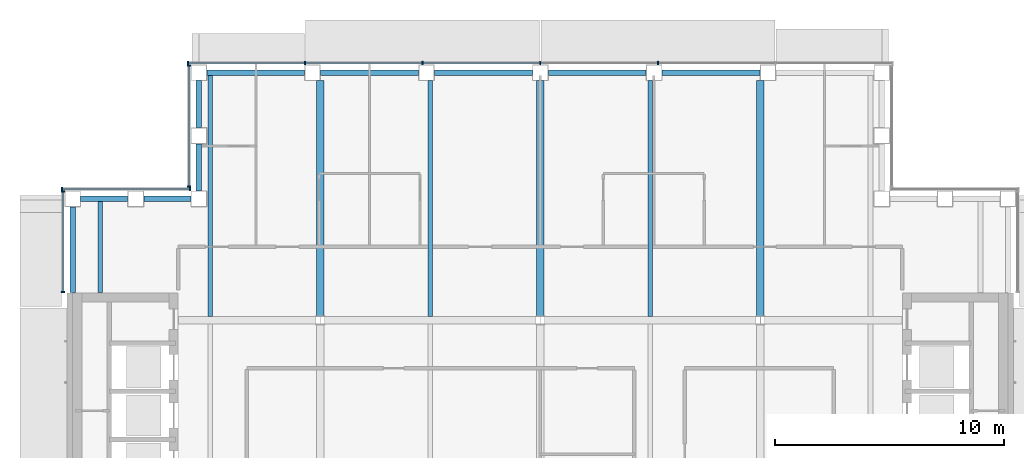
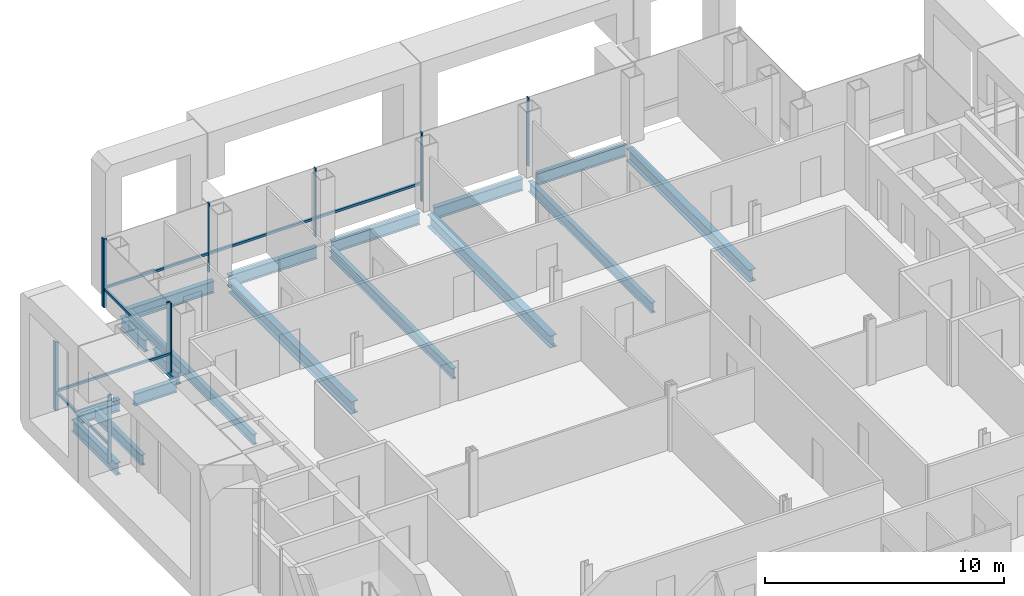
# One storey, part 6 of 19: 17 beams, 17 members, 4 elements without a shape of their own.
"""IFC4 building model written with IfcOpenShell, lengths in metres."""

import ifcopenshell
import ifcopenshell.guid

model = None  # the IFC model being written
_history = None  # IfcOwnerHistory: only IFC2X3 demands one
_inside = {}  # id of a spatial element -> (the spatial element, [elements in it])
_under = {}  # id of a project, library or spatial element -> (it, [spatial elements below it])
_declared = {}  # id of a project -> (the project, [libraries it declares])
_typed = {}  # id of a type object -> (the type object, [elements of that type])
_made_of = {}  # id of a material, layer set ... -> (it, [elements and type objects made of it])


def new_model(schema):
    """Start an empty IFC model of exactly this schema.

    Asked for "IFC4X3", IfcOpenShell would pick the latest addendum, in which some entities
    have other attributes; the version numbers below select the first issue.
    IFC2X3 requires an IfcOwnerHistory on every rooted entity: one is made here for all.
    """
    global model, _history
    if schema == "IFC4X3":
        model = ifcopenshell.file(schema_version=(4, 3, 0, 0))
    else:
        model = ifcopenshell.file(schema=schema)
    _inside.clear()
    _under.clear()
    _declared.clear()
    _typed.clear()
    _made_of.clear()
    _history = None
    if model.schema == "IFC2X3":
        org = make("IfcOrganization", Name="unknown")
        user = make(
            "IfcPersonAndOrganization",
            ThePerson=make("IfcPerson", FamilyName="unknown"),
            TheOrganization=org,
        )
        app = make(
            "IfcApplication",
            ApplicationDeveloper=org,
            Version="unknown",
            ApplicationFullName="unknown",
            ApplicationIdentifier="unknown",
        )
        _history = make(
            "IfcOwnerHistory",
            OwningUser=user,
            OwningApplication=app,
            ChangeAction="ADDED",
            CreationDate=0,
        )
    return model


def make(cls, **values):
    """One entity of the class cls with the attributes given. An attribute that is None is left unset."""
    return model.create_entity(
        cls, **{name: value for name, value in values.items() if value is not None}
    )


def rooted(cls, **values):
    """An entity with a GlobalId (a new one), such as an element, a storey or a relation."""
    return make(cls, GlobalId=ifcopenshell.guid.new(), OwnerHistory=_history, **values)


def si_unit(unit_type, name, prefix=None):
    """IfcSIUnit, for example si_unit("LENGTHUNIT", "METRE", prefix="MILLI")."""
    return make("IfcSIUnit", UnitType=unit_type, Prefix=prefix, Name=name)


def assignment(units):
    """IfcUnitAssignment: the units of a project."""
    return None if units is None else make("IfcUnitAssignment", Units=units)


def point(xyz):
    """IfcCartesianPoint."""
    return None if xyz is None else make("IfcCartesianPoint", Coordinates=xyz)


def direction(xyz):
    """IfcDirection."""
    return None if xyz is None else make("IfcDirection", DirectionRatios=xyz)


def frame(location, z_axis=None, x_axis=None):
    """IfcAxis2Placement3D, a coordinate frame: its origin and axes. An axis left out is left unset."""
    return make(
        "IfcAxis2Placement3D",
        Location=point(location),
        Axis=direction(z_axis),
        RefDirection=direction(x_axis),
    )


def frame_2d(location, x_axis=None):
    """IfcAxis2Placement2D, a coordinate frame in the plane: its origin and x axis."""
    return make(
        "IfcAxis2Placement2D", Location=point(location), RefDirection=direction(x_axis)
    )


def origin():
    """The frame at (0, 0, 0) with its axes left unset."""
    return frame((0.0, 0.0, 0.0))


def origin_2d():
    """The frame at (0, 0) in the plane with its x axis left unset."""
    return frame_2d((0.0, 0.0))


def place(relative_to, where):
    """IfcLocalPlacement: puts the frame where relative to a parent placement (None: the world)."""
    return make(
        "IfcLocalPlacement", PlacementRelTo=relative_to, RelativePlacement=where
    )


def context(
    kind, dimensions, precision=None, world=None, true_north=None, identifier=None
):
    """IfcGeometricRepresentationContext, for example the 3D "Model" context."""
    return make(
        "IfcGeometricRepresentationContext",
        ContextIdentifier=identifier,
        ContextType=kind,
        CoordinateSpaceDimension=dimensions,
        Precision=precision,
        WorldCoordinateSystem=world,
        TrueNorth=true_north,
    )


def subcontext(parent, identifier, kind, view, scale=None):
    """IfcGeometricRepresentationSubContext, for example "Body" below "Model"."""
    return make(
        "IfcGeometricRepresentationSubContext",
        ContextIdentifier=identifier,
        ContextType=kind,
        ParentContext=parent,
        TargetScale=scale,
        TargetView=view,
    )


def project(units=None, contexts=None):
    """IfcProject with its units and contexts."""
    return rooted(
        "IfcProject",
        Name="project",
        RepresentationContexts=contexts,
        UnitsInContext=assignment(units),
    )


def spatial(cls, under=None, at=None, **own):
    """A site, building, storey or space (cls), placed at a placement, below another one or the project."""
    s = rooted(cls, ObjectPlacement=at, **own)
    if under is not None:
        _under.setdefault(under.id(), (under, []))[1].append(s)
    return s


def profile(cls, at=None, kind="AREA", **sizes):
    """A parametric profile (cls). Its sizes go by their IFC names, for example OverallWidth=200.0."""
    return make(cls, ProfileType=kind, Position=at, **sizes)


def rectangle(**sizes):
    """IfcRectangleProfileDef."""
    return profile("IfcRectangleProfileDef", **sizes)


def i_section(**sizes):
    """IfcIShapeProfileDef."""
    return profile("IfcIShapeProfileDef", **sizes)


def extrude(swept, where, along, depth):
    """IfcExtrudedAreaSolid: the profile swept, set in the frame where, extruded along a direction by depth."""
    return make(
        "IfcExtrudedAreaSolid",
        SweptArea=swept,
        Position=where,
        ExtrudedDirection=direction(along),
        Depth=depth,
    )


def shape(context_of_items, identifier, shape_type, items):
    """IfcShapeRepresentation: the items that make up one representation, for example the "Body"."""
    return make(
        "IfcShapeRepresentation",
        ContextOfItems=context_of_items,
        RepresentationIdentifier=identifier,
        RepresentationType=shape_type,
        Items=items,
    )


def material(Name=None, Category=None):
    """IfcMaterial."""
    return make("IfcMaterial", Name=Name, Category=Category)


def material_profile(
    of_material, cross_section, Name=None, Category=None, Priority=None
):
    """IfcMaterialProfile: a cross section and its material."""
    return make(
        "IfcMaterialProfile",
        Name=Name,
        Material=of_material,
        Profile=cross_section,
        Priority=Priority,
        Category=Category,
    )


def profile_set(profiles, Name=None, composite=None):
    """IfcMaterialProfileSet."""
    return make(
        "IfcMaterialProfileSet",
        Name=Name,
        MaterialProfiles=profiles,
        CompositeProfile=composite,
    )


def made_of(thing, what):
    """Note that an element or type object is made of a material, layer set ...; save() writes the relation."""
    if what is not None:
        _made_of.setdefault(what.id(), (what, []))[1].append(thing)
    return thing


def type_object(cls, material=None, **own):
    """A type object (cls), such as IfcWallType, which elements share."""
    return made_of(rooted(cls, **own), material)


def element(
    cls,
    number,
    at=None,
    inside=None,
    cuts=None,
    type_object=None,
    material=None,
    context=None,
    identifier="Body",
    shape_type=None,
    held_by="IfcProductDefinitionShape",
    body=None,
    shapes=None,
    **own,
):
    """One element of the class cls, such as IfcWall. Its Tag is "e" and its number.

    at: its placement. inside: the storey or other place that contains it. cuts: it is an
    opening in that element (IfcRelVoidsElement). A single representation is given by context,
    identifier, shape_type and body (its items); several are given by shapes. held_by: the class
    of the entity that holds the representations. save() writes the other relations.
    """
    e = rooted(cls, Tag="e%d" % number, ObjectPlacement=at, **own)
    if body is not None:
        shapes = [shape(context, identifier, shape_type, body)]
    if shapes is not None:
        e.Representation = make(held_by, Representations=shapes)
    if inside is not None:
        _inside.setdefault(inside.id(), (inside, []))[1].append(e)
    if cuts is not None:
        rooted(
            "IfcRelVoidsElement", RelatingBuildingElement=cuts, RelatedOpeningElement=e
        )
    if type_object is not None:
        _typed.setdefault(type_object.id(), (type_object, []))[1].append(e)
    return made_of(e, material)


def aggregate(whole, parts):
    """IfcRelAggregates: a whole, such as a stair, and the parts it consists of."""
    return rooted("IfcRelAggregates", RelatingObject=whole, RelatedObjects=parts)


def save(model, path):
    """Write the relations noted so far, then the file.

    IfcRelAggregates (storeys below a building ...), IfcRelContainedInSpatialStructure (elements
    in a storey), IfcRelDefinesByType, IfcRelAssociatesMaterial and IfcRelDeclares: one each for
    every whole, place, type object, material and project.
    """
    for whole, parts in _under.values():
        aggregate(whole, parts)
    for where, things in _inside.values():
        rooted(
            "IfcRelContainedInSpatialStructure",
            RelatedElements=things,
            RelatingStructure=where,
        )
    for kind, things in _typed.values():
        rooted("IfcRelDefinesByType", RelatedObjects=things, RelatingType=kind)
    for what, things in _made_of.values():
        rooted("IfcRelAssociatesMaterial", RelatedObjects=things, RelatingMaterial=what)
    for by, libraries in _declared.values():
        rooted("IfcRelDeclares", RelatingContext=by, RelatedDefinitions=libraries)
    model.write(path)


model = new_model("IFC4")

# Units and contexts
model_context = context("Model", 3, precision=1e-05, world=origin(), true_north=direction((0.0, 1.0)))
body_context = subcontext(model_context, "Body", "Model", "MODEL_VIEW")
ifc_project = project(units=[si_unit("LENGTHUNIT", "METRE"), si_unit("AREAUNIT", "SQUARE_METRE"), si_unit("VOLUMEUNIT", "CUBIC_METRE"), si_unit("PLANEANGLEUNIT", "RADIAN"), si_unit("MASSUNIT", "GRAM", prefix="KILO")], contexts=[model_context])

# Site, building, storey
site_placement = place(None, origin())
site = spatial("IfcSite", under=ifc_project, at=site_placement, CompositionType="ELEMENT")
building_placement = place(site_placement, origin())
building = spatial("IfcBuilding", under=site, at=building_placement, Name="Cobrizo Arcos Hotel Tower", CompositionType="ELEMENT")
storey_placement = place(building_placement, frame((0.0, 0.0, 205.0)))
storey = spatial("IfcBuildingStorey", under=building, at=storey_placement, Name="L53", CompositionType="ELEMENT", Elevation=205.0)

# Curtain wall, members
ifc_material_1 = material(Name="Aluminium 6063-T6 anodised bronze", Category="aluminium")
curtain_wall_type = type_object("IfcCurtainWallType", Name="CW-A guest facade", PredefinedType="NOTDEFINED", material=ifc_material_1)
curtain_wall_1_placement = place(storey_placement, origin())
curtain_wall_1 = element("IfcCurtainWall", 1, at=curtain_wall_1_placement, inside=storey, type_object=curtain_wall_type, Name="CW-A L53 N face", PredefinedType="NOTDEFINED")
ifc_material_profile_1 = material_profile(ifc_material_1, rectangle(XDim=0.14990234375, YDim=0.06005859375, at=origin_2d()), Name="CW-A mullion 150x60")
ifc_profile_set_1 = profile_set([ifc_material_profile_1], Name="Aluminium 6063-T6 anodised bronze")
member_type_1 = type_object("IfcMemberType", Name="CW-A mullion 150x60", PredefinedType="MULLION", material=ifc_profile_set_1)
member_1_placement = place(storey_placement, frame((5.13330078125, 20.824951171875, 0.0), z_axis=(0.0, 0.0, 1.0), x_axis=(0.0, 1.0, 0.0)))
member_1 = element("IfcMember", 2, at=member_1_placement, type_object=member_type_1, Name="CW-A mullion 3", PredefinedType="MULLION", context=body_context, shape_type="SweptSolid", body=[
    extrude(rectangle(XDim=0.14990234375, YDim=0.06005859375, at=origin_2d()), origin(), (0.0, 0.0, 1.0), 3.5),
])
member_2_placement = place(storey_placement, frame((0.0, 20.824951171875, 0.0), z_axis=(0.0, 0.0, 1.0), x_axis=(0.0, 1.0, 0.0)))
member_2 = element("IfcMember", 3, at=member_2_placement, type_object=member_type_1, Name="CW-A mullion 4", PredefinedType="MULLION", context=body_context, shape_type="SweptSolid", body=[
    extrude(rectangle(XDim=0.14990234375, YDim=0.06005859375, at=origin_2d()), origin(), (0.0, 0.0, 1.0), 3.5),
])
member_3_placement = place(storey_placement, frame((-5.13330078125, 20.824951171875, 0.0), z_axis=(0.0, 0.0, 1.0), x_axis=(0.0, 1.0, 0.0)))
member_3 = element("IfcMember", 4, at=member_3_placement, type_object=member_type_1, Name="CW-A mullion 5", PredefinedType="MULLION", context=body_context, shape_type="SweptSolid", body=[
    extrude(rectangle(XDim=0.14990234375, YDim=0.06005859375, at=origin_2d()), origin(), (0.0, 0.0, 1.0), 3.5),
])
member_4_placement = place(storey_placement, frame((-10.2666015625, 20.824951171875, 0.0), z_axis=(0.0, 0.0, 1.0), x_axis=(0.0, 1.0, 0.0)))
member_4 = element("IfcMember", 5, at=member_4_placement, type_object=member_type_1, Name="CW-A mullion 6", PredefinedType="MULLION", context=body_context, shape_type="SweptSolid", body=[
    extrude(rectangle(XDim=0.14990234375, YDim=0.06005859375, at=origin_2d()), origin(), (0.0, 0.0, 1.0), 3.5),
])
member_5_placement = place(storey_placement, frame((-15.3701171875, 20.824951171875, 0.0), z_axis=(0.0, 0.0, 1.0), x_axis=(0.0, 1.0, 0.0)))
member_5 = element("IfcMember", 6, at=member_5_placement, type_object=member_type_1, Name="CW-A mullion 7", PredefinedType="MULLION", context=body_context, shape_type="SweptSolid", body=[
    extrude(rectangle(XDim=0.14990234375, YDim=0.06005859375, at=origin_2d()), origin(), (0.0, 0.0, 1.0), 3.5),
])

curtain_wall_2_placement = place(storey_placement, origin())
curtain_wall_2 = element("IfcCurtainWall", 7, at=curtain_wall_2_placement, inside=storey, type_object=curtain_wall_type, Name="CW-A L53 W face", PredefinedType="NOTDEFINED")
member_6_placement = place(storey_placement, frame((-15.324951171875, 20.719970703125, 0.0), z_axis=(0.0, 0.0, 1.0), x_axis=(-1.0, 0.0, 0.0)))
member_6 = element("IfcMember", 8, at=member_6_placement, type_object=member_type_1, Name="CW-A mullion 1", PredefinedType="MULLION", context=body_context, shape_type="SweptSolid", body=[
    extrude(rectangle(XDim=0.14990234375, YDim=0.06005859375, at=origin_2d()), origin(), (0.0, 0.0, 1.0), 3.5),
])
member_7_placement = place(storey_placement, frame((-15.324951171875, 15.429931640625, 0.0), z_axis=(0.0, 0.0, 1.0), x_axis=(-1.0, 0.0, 0.0)))
member_7 = element("IfcMember", 9, at=member_7_placement, type_object=member_type_1, Name="CW-A mullion 2", PredefinedType="MULLION", context=body_context, shape_type="SweptSolid", body=[
    extrude(rectangle(XDim=0.14990234375, YDim=0.06005859375, at=origin_2d()), origin(), (0.0, 0.0, 1.0), 3.5),
])

curtain_wall_3_placement = place(storey_placement, origin())
curtain_wall_3 = element("IfcCurtainWall", 10, at=curtain_wall_3_placement, inside=storey, type_object=curtain_wall_type, Name="CW-A L53 N face", PredefinedType="NOTDEFINED")
member_8_placement = place(storey_placement, frame((-15.280029296875, 15.324951171875, 0.0), z_axis=(0.0, 0.0, 1.0), x_axis=(0.0, 1.0, 0.0)))
member_8 = element("IfcMember", 11, at=member_8_placement, type_object=member_type_1, Name="CW-A mullion 1", PredefinedType="MULLION", context=body_context, shape_type="SweptSolid", body=[
    extrude(rectangle(XDim=0.14990234375, YDim=0.06005859375, at=origin_2d()), origin(), (0.0, 0.0, 1.0), 3.5),
])
member_9_placement = place(storey_placement, frame((-20.8701171875, 15.324951171875, 0.0), z_axis=(0.0, 0.0, 1.0), x_axis=(0.0, 1.0, 0.0)))
member_9 = element("IfcMember", 12, at=member_9_placement, type_object=member_type_1, Name="CW-A mullion 2", PredefinedType="MULLION", context=body_context, shape_type="SweptSolid", body=[
    extrude(rectangle(XDim=0.14990234375, YDim=0.06005859375, at=origin_2d()), origin(), (0.0, 0.0, 1.0), 3.5),
])

curtain_wall_4_placement = place(storey_placement, origin())
curtain_wall_4 = element("IfcCurtainWall", 13, at=curtain_wall_4_placement, inside=storey, type_object=curtain_wall_type, Name="CW-A L53 W face", PredefinedType="NOTDEFINED")
member_10_placement = place(storey_placement, frame((-20.824951171875, 15.219970703125, 0.0), z_axis=(0.0, 0.0, 1.0), x_axis=(-1.0, 0.0, 0.0)))
member_10 = element("IfcMember", 14, at=member_10_placement, type_object=member_type_1, Name="CW-A mullion 1", PredefinedType="MULLION", context=body_context, shape_type="SweptSolid", body=[
    extrude(rectangle(XDim=0.14990234375, YDim=0.06005859375, at=origin_2d()), origin(), (0.0, 0.0, 1.0), 3.5),
])
member_11_placement = place(storey_placement, frame((-20.824951171875, 10.830078125, 0.0), z_axis=(0.0, 0.0, 1.0), x_axis=(-1.0, 0.0, 0.0)))
member_11 = element("IfcMember", 15, at=member_11_placement, type_object=member_type_1, Name="CW-A mullion 2", PredefinedType="MULLION", context=body_context, shape_type="SweptSolid", body=[
    extrude(rectangle(XDim=0.14990234375, YDim=0.06005859375, at=origin_2d()), origin(), (0.0, 0.0, 1.0), 3.5),
])

# Member
ifc_material_profile_2 = material_profile(ifc_material_1, rectangle(XDim=0.10009765625, YDim=0.1201171875, at=origin_2d()), Name="CW-A transom 120x100")
ifc_profile_set_2 = profile_set([ifc_material_profile_2], Name="Aluminium 6063-T6 anodised bronze")
member_type_2 = type_object("IfcMemberType", Name="CW-A transom 120x100", PredefinedType="USERDEFINED", material=ifc_profile_set_2)
member_12_placement = place(storey_placement, frame((-0.030029296875, 20.824951171875, 0.929931640625), z_axis=(-1.0, 0.0, 0.0), x_axis=(0.0, -1.0, 0.0)))
member_12 = element("IfcMember", 16, at=member_12_placement, type_object=member_type_2, Name="CW-A transom 1807", ObjectType="TRANSOM", PredefinedType="USERDEFINED", context=body_context, shape_type="SweptSolid", body=[
    extrude(rectangle(XDim=0.10009765625, YDim=0.1201171875, at=origin_2d()), origin(), (0.0, 0.0, 1.0), 5.0732421875),
])

member_13_placement = place(storey_placement, frame((-5.163330078125, 20.824951171875, 0.929931640625), z_axis=(-1.0, 0.0, 0.0), x_axis=(0.0, -1.0, 0.0)))
member_13 = element("IfcMember", 17, at=member_13_placement, type_object=member_type_2, Name="CW-A transom 1808", ObjectType="TRANSOM", PredefinedType="USERDEFINED", context=body_context, shape_type="SweptSolid", body=[
    extrude(rectangle(XDim=0.10009765625, YDim=0.1201171875, at=origin_2d()), origin(), (0.0, 0.0, 1.0), 5.0732421875),
])

member_14_placement = place(storey_placement, frame((-10.296630859375, 20.824951171875, 0.929931640625), z_axis=(-1.0, 0.0, 0.0), x_axis=(0.0, -1.0, 0.0)))
member_14 = element("IfcMember", 18, at=member_14_placement, type_object=member_type_2, Name="CW-A transom 1809", ObjectType="TRANSOM", PredefinedType="USERDEFINED", context=body_context, shape_type="SweptSolid", body=[
    extrude(rectangle(XDim=0.10009765625, YDim=0.1201171875, at=origin_2d()), origin(), (0.0, 0.0, 1.0), 5.04345703125),
])

aggregate(curtain_wall_1, [member_1, member_2, member_3, member_4, member_5, member_12, member_13, member_14])

member_15_placement = place(storey_placement, frame((-15.324951171875, 20.68994140625, 0.929931640625), z_axis=(0.0, -1.0, 0.0), x_axis=(1.0, 0.0, 0.0)))
member_15 = element("IfcMember", 19, at=member_15_placement, type_object=member_type_2, Name="CW-A transom 1810", ObjectType="TRANSOM", PredefinedType="USERDEFINED", context=body_context, shape_type="SweptSolid", body=[
    extrude(rectangle(XDim=0.10009765625, YDim=0.1201171875, at=origin_2d()), origin(), (0.0, 0.0, 1.0), 5.22998046875),
])

aggregate(curtain_wall_2, [member_6, member_7, member_15])

member_16_placement = place(storey_placement, frame((-15.31005859375, 15.324951171875, 0.929931640625), z_axis=(-1.0, 0.0, 0.0), x_axis=(0.0, -1.0, 0.0)))
member_16 = element("IfcMember", 20, at=member_16_placement, type_object=member_type_2, Name="CW-A transom 1811", ObjectType="TRANSOM", PredefinedType="USERDEFINED", context=body_context, shape_type="SweptSolid", body=[
    extrude(rectangle(XDim=0.10009765625, YDim=0.1201171875, at=origin_2d()), origin(), (0.0, 0.0, 1.0), 5.530029296875),
])

aggregate(curtain_wall_3, [member_8, member_9, member_16])

member_17_placement = place(storey_placement, frame((-20.824951171875, 15.18994140625, 0.929931640625), z_axis=(0.0, -1.0, 0.0), x_axis=(1.0, 0.0, 0.0)))
member_17 = element("IfcMember", 21, at=member_17_placement, type_object=member_type_2, Name="CW-A transom 1812", ObjectType="TRANSOM", PredefinedType="USERDEFINED", context=body_context, shape_type="SweptSolid", body=[
    extrude(rectangle(XDim=0.10009765625, YDim=0.1201171875, at=origin_2d()), origin(), (0.0, 0.0, 1.0), 4.329833984375),
])

aggregate(curtain_wall_4, [member_10, member_11, member_17])

# Beams
ifc_material_2 = material(Name="Steel ASTM A992 Grade 50", Category="steel")
ifc_material_profile_3 = material_profile(ifc_material_2, i_section(OverallWidth=0.209228515625, OverallDepth=0.533447265625, WebThickness=0.01025390625, FlangeThickness=0.015625, at=origin_2d()), Name="W21X62")
ifc_profile_set_3 = profile_set([ifc_material_profile_3], Name="Steel ASTM A992 Grade 50")
beam_type_1 = type_object("IfcBeamType", Name="W21X62 joist", PredefinedType="JOIST", material=ifc_profile_set_3)
beam_1_placement = place(storey_placement, frame((-19.199951171875, 10.81005859375, -0.416748046875), z_axis=(0.0, 1.0, 0.0), x_axis=(-1.0, 0.0, 0.0)))
element("IfcBeam", 22, at=beam_1_placement, inside=storey, type_object=beam_type_1, Name="Floor joist J1, L53, no. 002", PredefinedType="JOIST", context=body_context, shape_type="SweptSolid", body=[
    extrude(i_section(OverallWidth=0.209228515625, OverallDepth=0.533447265625, WebThickness=0.01025390625, FlangeThickness=0.015625, at=origin_2d()), origin(), (0.0, 0.0, 1.0), 4.0),
])
beam_2_placement = place(storey_placement, frame((-14.39990234375, 9.763916015625, -0.416748046875), z_axis=(0.0, 1.0, 0.0), x_axis=(-1.0, 0.0, 0.0)))
element("IfcBeam", 23, at=beam_2_placement, inside=storey, type_object=beam_type_1, Name="Floor joist J1, L53, no. 006", PredefinedType="JOIST", context=body_context, shape_type="SweptSolid", body=[
    extrude(i_section(OverallWidth=0.209228515625, OverallDepth=0.533447265625, WebThickness=0.01025390625, FlangeThickness=0.015625, at=origin_2d()), origin(), (0.0, 0.0, 1.0), 10.546142578125),
])
for number, where, z_axis, x_axis, name in (
    (24, (-4.800048828125, 9.763916015625, -0.416748046875), (0.0, 1.0, 0.0), (-1.0, 0.0, 0.0), "Floor joist J1, L53, no. 010"),
    (25, (4.800048828125, 9.763916015625, -0.416748046875), (0.0, 1.0, 0.0), (-1.0, 0.0, 0.0), "Floor joist J1, L53, no. 014"),
):
    element("IfcBeam", number, at=place(storey_placement, frame(where, z_axis=z_axis, x_axis=x_axis)), inside=storey, type_object=beam_type_1, Name=name, PredefinedType="JOIST", context=body_context, shape_type="SweptSolid", body=[
        extrude(i_section(OverallWidth=0.209228515625, OverallDepth=0.533447265625, WebThickness=0.01025390625, FlangeThickness=0.015625, at=origin_2d()), origin(), (0.0, 0.0, 1.0), 10.2861328125),
    ])
ifc_material_profile_4 = material_profile(ifc_material_2, i_section(OverallWidth=0.32763671875, OverallDepth=0.622314453125, WebThickness=0.015380859375, FlangeThickness=0.0244140625, at=origin_2d()), Name="W24X131")
ifc_profile_set_4 = profile_set([ifc_material_profile_4], Name="Steel ASTM A992 Grade 50")
beam_type_2 = type_object("IfcBeamType", Name="W24X131 girder", PredefinedType="BEAM", material=ifc_profile_set_4)
for number, where, z_axis, x_axis, name in (
    (26, (-9.60009765625, 9.78662109375, -0.461181640625), (0.0, 1.0, 0.0), (-1.0, 0.0, 0.0), "Floor girder G1, L53, no. 016"),
    (27, (0.0, 9.78662109375, -0.461181640625), (0.0, 1.0, 0.0), (-1.0, 0.0, 0.0), "Floor girder G1, L53, no. 020"),
    (28, (9.60009765625, 9.78662109375, -0.461181640625), (0.0, 1.0, 0.0), (-1.0, 0.0, 0.0), "Floor girder G1, L53, no. 024"),
):
    element("IfcBeam", number, at=place(storey_placement, frame(where, z_axis=z_axis, x_axis=x_axis)), inside=storey, type_object=beam_type_2, Name=name, PredefinedType="BEAM", context=body_context, shape_type="SweptSolid", body=[
        extrude(i_section(OverallWidth=0.32763671875, OverallDepth=0.622314453125, WebThickness=0.015380859375, FlangeThickness=0.0244140625, at=origin_2d()), origin(), (0.0, 0.0, 1.0), 10.263427734375),
    ])
ifc_material_profile_5 = material_profile(ifc_material_2, i_section(OverallWidth=0.228271484375, OverallDepth=0.607177734375, WebThickness=0.01123046875, FlangeThickness=0.017333984375, at=origin_2d()), Name="W24X76")
ifc_profile_set_5 = profile_set([ifc_material_profile_5], Name="Steel ASTM A992 Grade 50")
beam_type_3 = type_object("IfcBeamType", Name="W24X76 spandrel", PredefinedType="SPANDREL", material=ifc_profile_set_5)
beam_3_placement = place(storey_placement, frame((9.5830078125, 20.39990234375, -0.45361328125), z_axis=(-1.0, 0.0, 0.0), x_axis=(0.0, -1.0, 0.0)))
element("IfcBeam", 29, at=beam_3_placement, inside=storey, type_object=beam_type_3, Name="Spandrel beam W24X76, L53, no. 018", PredefinedType="SPANDREL", context=body_context, shape_type="SweptSolid", body=[
    extrude(i_section(OverallWidth=0.228271484375, OverallDepth=0.607177734375, WebThickness=0.01123046875, FlangeThickness=0.017333984375, at=origin_2d()), origin(), (0.0, 0.0, 1.0), 4.26611328125),
])
for number, where, z_axis, x_axis, name in (
    (30, (4.616943359375, 20.39990234375, -0.45361328125), (-1.0, 0.0, 0.0), (0.0, -1.0, 0.0), "Spandrel beam W24X76, L53, no. 019"),
    (31, (-0.35009765625, 20.39990234375, -0.45361328125), (-1.0, 0.0, 0.0), (0.0, -1.0, 0.0), "Spandrel beam W24X76, L53, no. 020"),
):
    element("IfcBeam", number, at=place(storey_placement, frame(where, z_axis=z_axis, x_axis=x_axis)), inside=storey, type_object=beam_type_3, Name=name, PredefinedType="SPANDREL", context=body_context, shape_type="SweptSolid", body=[
        extrude(i_section(OverallWidth=0.228271484375, OverallDepth=0.607177734375, WebThickness=0.01123046875, FlangeThickness=0.017333984375, at=origin_2d()), origin(), (0.0, 0.0, 1.0), 4.266845703125),
    ])
beam_4_placement = place(storey_placement, frame((-5.31689453125, 20.39990234375, -0.45361328125), z_axis=(-1.0, 0.0, 0.0), x_axis=(0.0, -1.0, 0.0)))
element("IfcBeam", 32, at=beam_4_placement, inside=storey, type_object=beam_type_3, Name="Spandrel beam W24X76, L53, no. 021", PredefinedType="SPANDREL", context=body_context, shape_type="SweptSolid", body=[
    extrude(i_section(OverallWidth=0.228271484375, OverallDepth=0.607177734375, WebThickness=0.01123046875, FlangeThickness=0.017333984375, at=origin_2d()), origin(), (0.0, 0.0, 1.0), 4.26611328125),
])
beam_5_placement = place(storey_placement, frame((-10.282958984375, 20.39990234375, -0.45361328125), z_axis=(-1.0, 0.0, 0.0), x_axis=(0.0, -1.0, 0.0)))
element("IfcBeam", 33, at=beam_5_placement, inside=storey, type_object=beam_type_3, Name="Spandrel beam W24X76, L53, no. 022", PredefinedType="SPANDREL", context=body_context, shape_type="SweptSolid", body=[
    extrude(i_section(OverallWidth=0.228271484375, OverallDepth=0.607177734375, WebThickness=0.01123046875, FlangeThickness=0.017333984375, at=origin_2d()), origin(), (0.0, 0.0, 1.0), 4.26708984375),
])
for number, where, z_axis, x_axis, name in (
    (34, (-14.89990234375, 20.050048828125, -0.45361328125), (0.0, -1.0, 0.0), (1.0, 0.0, 0.0), "Spandrel beam W24X76, L53, no. 023"),
    (35, (-14.89990234375, 17.300048828125, -0.45361328125), (0.0, -1.0, 0.0), (1.0, 0.0, 0.0), "Spandrel beam W24X76, L53, no. 024"),
    (36, (-15.25, 14.89990234375, -0.45361328125), (-1.0, 0.0, 0.0), (0.0, -1.0, 0.0), "Spandrel beam W24X76, L53, no. 025"),
    (37, (-18.0, 14.89990234375, -0.45361328125), (-1.0, 0.0, 0.0), (0.0, -1.0, 0.0), "Spandrel beam W24X76, L53, no. 026"),
):
    element("IfcBeam", number, at=place(storey_placement, frame(where, z_axis=z_axis, x_axis=x_axis)), inside=storey, type_object=beam_type_3, Name=name, PredefinedType="SPANDREL", context=body_context, shape_type="SweptSolid", body=[
        extrude(i_section(OverallWidth=0.228271484375, OverallDepth=0.607177734375, WebThickness=0.01123046875, FlangeThickness=0.017333984375, at=origin_2d()), origin(), (0.0, 0.0, 1.0), 2.050048828125),
    ])
beam_6_placement = place(storey_placement, frame((-20.39990234375, 14.550048828125, -0.45361328125), z_axis=(0.0, -1.0, 0.0), x_axis=(1.0, 0.0, 0.0)))
element("IfcBeam", 38, at=beam_6_placement, inside=storey, type_object=beam_type_3, Name="Spandrel beam W24X76, L53, no. 027", PredefinedType="SPANDREL", context=body_context, shape_type="SweptSolid", body=[
    extrude(i_section(OverallWidth=0.228271484375, OverallDepth=0.607177734375, WebThickness=0.01123046875, FlangeThickness=0.017333984375, at=origin_2d()), origin(), (0.0, 0.0, 1.0), 3.739990234375),
])

save(model, "model.ifc")
